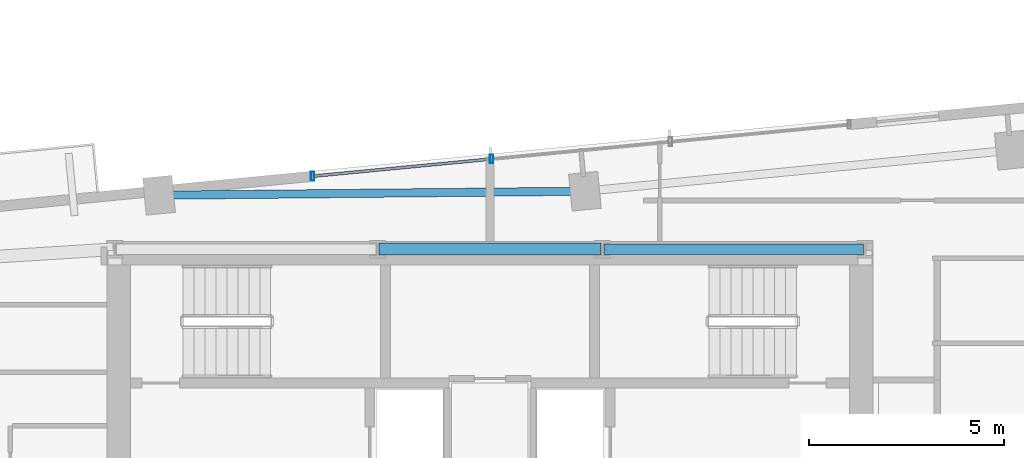
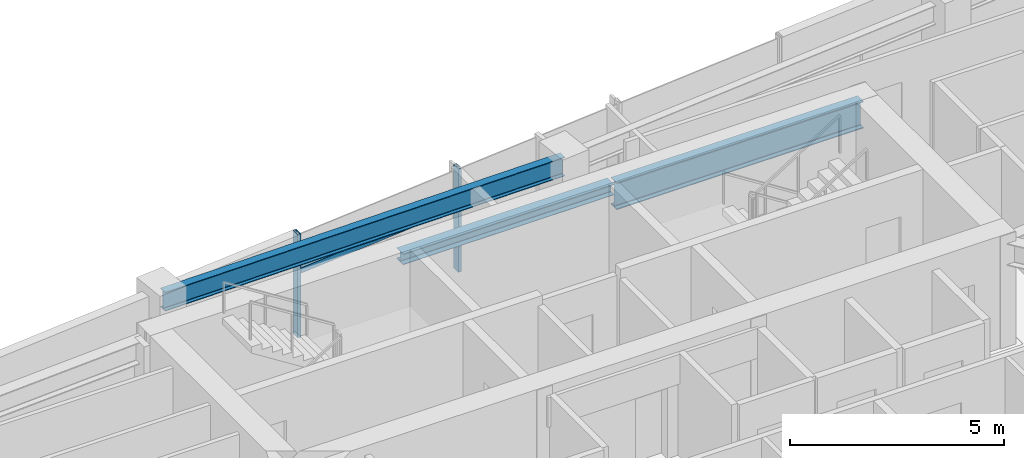
# One storey, part 6 of 18: 3 beams, 3 members, 1 element without a shape of its own.
"""IFC4 building model written with IfcOpenShell, lengths in metres."""

from ifc_helpers import new_model, si_unit, direction, frame, origin, origin_2d, place, context, subcontext, project, spatial, hollow_rectangle, i_section, extrude, source, transform, mapped, material, material_profile, profile_set, type_object, type_shapes, element, aggregate, save


model = new_model("IFC4")

# Units and contexts
model_context = context("Model", 3, precision=1e-05, world=origin(), true_north=direction((0.0, 1.0)))
body_context = subcontext(model_context, "Body", "Model", "MODEL_VIEW")
ifc_project = project(units=[si_unit("LENGTHUNIT", "METRE"), si_unit("AREAUNIT", "SQUARE_METRE"), si_unit("VOLUMEUNIT", "CUBIC_METRE"), si_unit("PLANEANGLEUNIT", "RADIAN"), si_unit("MASSUNIT", "GRAM", prefix="KILO")], contexts=[model_context])

# Site, building, storey
site_placement = place(None, origin())
site = spatial("IfcSite", under=ifc_project, at=site_placement, CompositionType="ELEMENT")
building_placement = place(site_placement, origin())
building = spatial("IfcBuilding", under=site, at=building_placement, Name="Astriad Promenade Condominiums", CompositionType="ELEMENT")
storey_placement = place(building_placement, frame((0.0, 0.0, 189.0)))
storey = spatial("IfcBuildingStorey", under=building, at=storey_placement, Name="L54", CompositionType="ELEMENT", Elevation=189.0)

# Beams
ifc_material_1 = material(Name="Steel ASTM A992 Grade 50", Category="steel")
ifc_material_profile_1 = material_profile(ifc_material_1, i_section(OverallWidth=0.267822265625, OverallDepth=0.76953125, WebThickness=0.015625, FlangeThickness=0.025390625, FilletRadius=0.021484375, at=origin_2d()), Name="W30X132")
ifc_profile_set_1 = profile_set([ifc_material_profile_1], Name="Steel ASTM A992 Grade 50")
beam_type_1 = type_object("IfcBeamType", Name="STEEL FLOOR GIRDER W30X132", PredefinedType="BEAM", material=ifc_profile_set_1)
shared_shape_1 = source(origin(), body_context, "Body", "SweptSolid", [
    extrude(i_section(OverallWidth=0.267822265625, OverallDepth=0.76953125, WebThickness=0.015625, FlangeThickness=0.025390625, FilletRadius=0.021484375, at=origin_2d()), origin(), (0.0, 0.0, 1.0), 6.64013671875),
])
type_shapes(beam_type_1, [shared_shape_1])
beam_1_placement = place(storey_placement, frame((38.919921875, 24.0, 2.55517578125), z_axis=(1.0, 0.0, 0.0), x_axis=(0.0, 1.0, 0.0)))
element("IfcBeam", 1, at=beam_1_placement, inside=storey, type_object=beam_type_1, Name="Core Ring Beam CG-N3-L54", PredefinedType="BEAM", context=body_context, shape_type="MappedRepresentation", body=[
    mapped(shared_shape_1, transform((0.0, 0.0, 0.0), scale=1.0)),
])
ifc_material_profile_2 = material_profile(ifc_material_1, i_section(OverallWidth=0.3046875, OverallDepth=0.307861328125, WebThickness=0.010009765625, FlangeThickness=0.015380859375, FilletRadius=0.01513671875, at=origin_2d()), Name="W12X65")
ifc_profile_set_2 = profile_set([ifc_material_profile_2], Name="Steel ASTM A992 Grade 50")
beam_type_2 = type_object("IfcBeamType", Name="STEEL OPENING LINTEL W12X65", PredefinedType="LINTEL", material=ifc_profile_set_2)
shared_shape_2 = source(origin(), body_context, "Body", "SweptSolid", [
    extrude(i_section(OverallWidth=0.3046875, OverallDepth=0.307861328125, WebThickness=0.010009765625, FlangeThickness=0.015380859375, FilletRadius=0.01513671875, at=origin_2d()), origin(), (0.0, 0.0, 1.0), 5.68017578125),
])
type_shapes(beam_type_2, [shared_shape_2])
beam_2_placement = place(storey_placement, frame((33.159912109375, 24.0, 2.7861328125), z_axis=(1.0, 0.0, 0.0), x_axis=(0.0, 1.0, 0.0)))
element("IfcBeam", 2, at=beam_2_placement, inside=storey, type_object=beam_type_2, Name="Core Ring Beam CG-N2-L54", PredefinedType="LINTEL", context=body_context, shape_type="MappedRepresentation", body=[
    mapped(shared_shape_2, transform((0.0, 0.0, 0.0), scale=1.0)),
])
ifc_material_profile_3 = material_profile(ifc_material_1, i_section(OverallWidth=0.210693359375, OverallDepth=0.53955078125, WebThickness=0.01171875, FlangeThickness=0.018798828125, FilletRadius=0.0166015625, at=origin_2d()), Name="W21X73")
ifc_profile_set_3 = profile_set([ifc_material_profile_3], Name="Steel ASTM A992 Grade 50")
beam_type_3 = type_object("IfcBeamType", Name="STEEL SPANDREL BEAM W21X73", PredefinedType="SPANDREL", material=ifc_profile_set_3)
shared_shape_3 = source(origin(), body_context, "Body", "SweptSolid", [
    extrude(i_section(OverallWidth=0.210693359375, OverallDepth=0.53955078125, WebThickness=0.01171875, FlangeThickness=0.018798828125, FilletRadius=0.0166015625, at=origin_2d()), origin(), (0.0, 0.0, 1.0), 10.820068359375),
])
type_shapes(beam_type_3, [shared_shape_3])
beam_3_placement = place(storey_placement, frame((38.391357421875, 25.482666015625, 2.67041015625), z_axis=(-0.999955308161, -0.009454188553, 0.0), x_axis=(0.009454188553, -0.999955308161, 0.0)))
element("IfcBeam", 3, at=beam_3_placement, inside=storey, type_object=beam_type_3, Name="Perimeter Spandrel Beam SP-N2-L54", PredefinedType="SPANDREL", context=body_context, shape_type="MappedRepresentation", body=[
    mapped(shared_shape_3, transform((0.0, 0.0, 0.0), scale=1.0)),
])

# Curtain wall, members
ifc_material_2 = material(Name="Anodised aluminium Black Dark Glass Unitised", Category="aluminium")
curtain_wall_type = type_object("IfcCurtainWallType", Name="CW-B34-DARK", PredefinedType="USERDEFINED", material=ifc_material_2)
curtain_wall_placement = place(storey_placement, origin())
curtain_wall = element("IfcCurtainWall", 4, at=curtain_wall_placement, inside=storey, type_object=curtain_wall_type, Name="CW-L54-N", ObjectType="UNITISED_CURTAIN_WALL", PredefinedType="USERDEFINED")
ifc_material_3 = material(Name="Anodised aluminium 6063-T6 Black", Category="aluminium")
ifc_material_profile_4 = material_profile(ifc_material_3, hollow_rectangle(XDim=0.0849609375, YDim=0.219970703125, WallThickness=0.0048828125, at=origin_2d()), Name="ALU-MUL-85X220")
ifc_profile_set_4 = profile_set([ifc_material_profile_4], Name="Anodised aluminium 6063-T6 Black")
member_type_1 = type_object("IfcMemberType", Name="MUL-ALU-MUL-85X220", PredefinedType="MULLION", material=ifc_profile_set_4)
shared_shape_4 = source(origin(), body_context, "Body", "SweptSolid", [
    extrude(hollow_rectangle(XDim=0.0849609375, YDim=0.219970703125, WallThickness=0.0048828125, at=origin_2d()), origin(), (0.0, 0.0, 1.0), 2.93994140625),
])
type_shapes(member_type_1, [shared_shape_4])
member_1_placement = place(storey_placement, frame((31.46240234375, 25.866943359375, 0.0), z_axis=(0.0, 0.0, 1.0), x_axis=(1.0, 0.0, 0.0)))
member_1 = element("IfcMember", 5, at=member_1_placement, type_object=member_type_1, Name="CW-L54-N-MUL-00", PredefinedType="MULLION", context=body_context, shape_type="MappedRepresentation", body=[
    mapped(shared_shape_4, transform((0.0, 0.0, 0.0), scale=1.0)),
])
member_2_placement = place(storey_placement, frame((36.041259765625, 26.307861328125, 0.0), z_axis=(0.0, 0.0, 1.0), x_axis=(1.0, 0.0, 0.0)))
member_2 = element("IfcMember", 6, at=member_2_placement, type_object=member_type_1, Name="CW-L54-N-MUL-01", PredefinedType="MULLION", context=body_context, shape_type="MappedRepresentation", body=[
    mapped(shared_shape_4, transform((0.0, 0.0, 0.0), scale=1.0)),
])
ifc_material_profile_5 = material_profile(ifc_material_3, hollow_rectangle(XDim=0.074951171875, YDim=0.14990234375, WallThickness=0.004150390625, at=origin_2d()), Name="ALU-TRN-75X150")
ifc_profile_set_5 = profile_set([ifc_material_profile_5], Name="Anodised aluminium 6063-T6 Black")
member_type_2 = type_object("IfcMemberType", Name="TRN-ALU-TRN-75X150", PredefinedType="USERDEFINED", material=ifc_profile_set_5)
shared_shape_5 = source(origin(), body_context, "Body", "SweptSolid", [
    extrude(hollow_rectangle(XDim=0.074951171875, YDim=0.14990234375, WallThickness=0.004150390625, at=origin_2d()), origin(), (0.0, 0.0, 1.0), 4.60009765625),
])
type_shapes(member_type_2, [shared_shape_5])
member_3_placement = place(storey_placement, frame((31.46240234375, 25.866943359375, 1.82275390625), z_axis=(0.995395697572, 0.095850953336, 0.0), x_axis=(-0.095850953336, 0.995395697572, 0.0)))
member_3 = element("IfcMember", 7, at=member_3_placement, type_object=member_type_2, Name="CW-L54-N-TRN-00-0", ObjectType="TRANSOM", PredefinedType="USERDEFINED", context=body_context, shape_type="MappedRepresentation", body=[
    mapped(shared_shape_5, transform((0.0, 0.0, 0.0), scale=1.0)),
])
aggregate(curtain_wall, [member_1, member_2, member_3])

save(model, "model.ifc")
